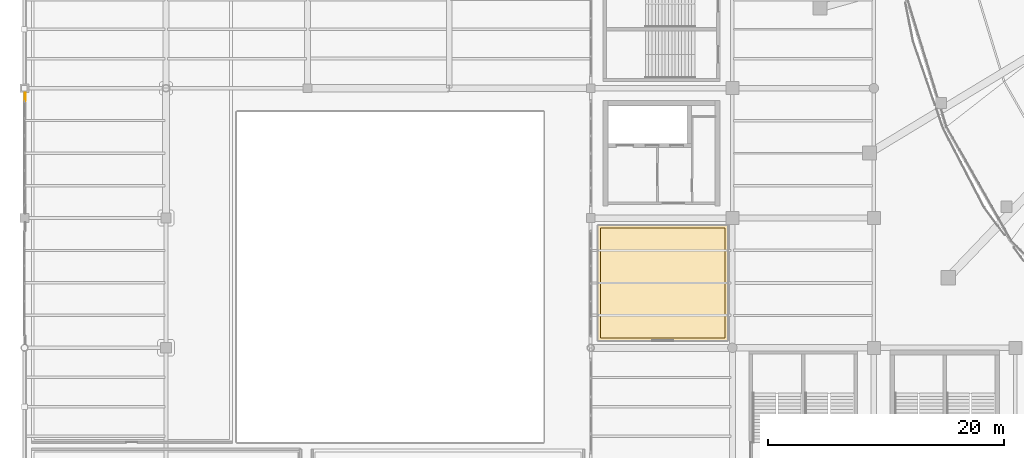
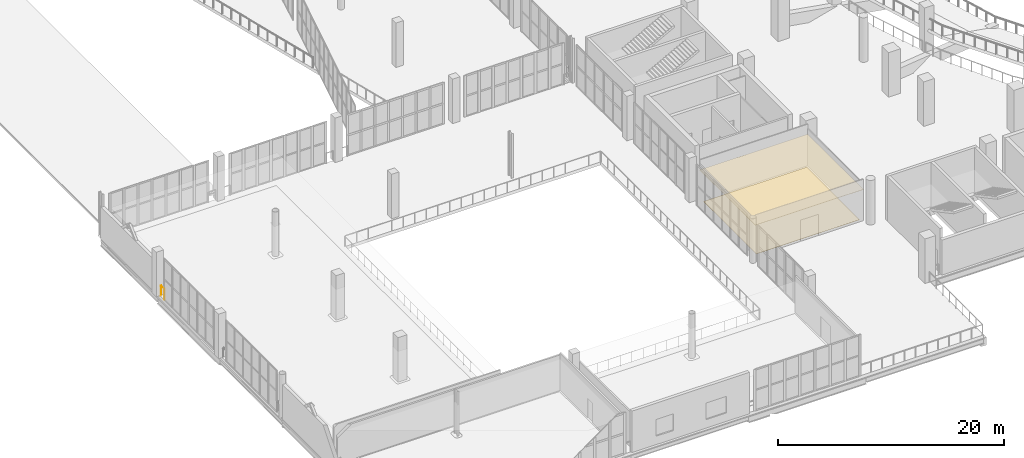
# One storey, part 122 of 136: 2 coverings, 1 railing.
"""IFC4 building model written with IfcOpenShell, lengths in metres."""

from ifc_helpers import new_model, si_unit, direction, frame, origin, origin_2d, place, context, subcontext, project, spatial, polyline, circle, outline, extrude, material, layer, layer_set, type_object, element, save


model = new_model("IFC4")

# Units and contexts
model_context = context("Model", 3, precision=1e-05, world=origin(), true_north=direction((0.0, 1.0)))
body_context = subcontext(model_context, "Body", "Model", "MODEL_VIEW")
ifc_project = project(units=[si_unit("LENGTHUNIT", "METRE"), si_unit("AREAUNIT", "SQUARE_METRE"), si_unit("VOLUMEUNIT", "CUBIC_METRE"), si_unit("PLANEANGLEUNIT", "RADIAN"), si_unit("MASSUNIT", "GRAM", prefix="KILO")], contexts=[model_context])

# Site, building, storey
site_placement = place(None, origin())
site = spatial("IfcSite", under=ifc_project, at=site_placement, CompositionType="ELEMENT")
building_placement = place(site_placement, origin())
building = spatial("IfcBuilding", under=site, at=building_placement, Name="Brinegate Civic Arena", CompositionType="ELEMENT")
storey_placement = place(building_placement, frame((0.0, 0.0, 5.39990234375)))
storey = spatial("IfcBuildingStorey", under=building, at=storey_placement, Name="L01", CompositionType="ELEMENT", Elevation=5.39990234375)

# Coverings
ifc_material_1 = material(Name="Acoustic perforated aluminium ceiling", Category="aluminium")
ifc_layer_1 = layer(ifc_material_1, 0.034912109375, Name="Acoustic perforated aluminium ceiling")
ifc_layer_set_1 = layer_set([ifc_layer_1], Name="Acoustic perforated aluminium ceiling")
covering_type_1 = type_object("IfcCoveringType", Name="CEILING-ACOUSTIC-35", PredefinedType="CEILING", material=ifc_layer_set_1)
covering_1_placement = place(storey_placement, frame((0.0, 0.0, 3.315185546875)))
element("IfcCovering", 1, at=covering_1_placement, inside=storey, type_object=covering_type_1, Name="Acoustic Ceiling L01-008", PredefinedType="CEILING", context=body_context, shape_type="SweptSolid", body=[
    extrude(outline(polyline([(59.60400390625, 30.419921875), (59.60595703125, 30.4189453125), (59.60791015625, 30.41796875), (59.60888671875, 30.41796875), (59.611083984375, 30.4169921875), (59.613037109375, 30.4150390625), (59.614013671875, 30.4140625), (59.614990234375, 30.4130859375), (59.616943359375, 30.410888671875), (59.617919921875, 30.408935546875), (59.617919921875, 30.407958984375), (59.618896484375, 30.406005859375), (59.6201171875, 30.404052734375), (59.6201171875, 30.402099609375), (59.6201171875, 30.39990234375), (59.6201171875, 20.60009765625), (59.6201171875, 20.597900390625), (59.6201171875, 20.595947265625), (59.618896484375, 20.593994140625), (59.617919921875, 20.592041015625), (59.617919921875, 20.591064453125), (59.616943359375, 20.589111328125), (59.614990234375, 20.5869140625), (59.614013671875, 20.5859375), (59.613037109375, 20.5849609375), (59.611083984375, 20.5830078125), (59.60888671875, 20.58203125), (59.60791015625, 20.58203125), (59.60595703125, 20.5810546875), (59.60400390625, 20.580078125), (59.60205078125, 20.580078125), (59.60009765625, 20.580078125), (48.60009765625, 20.580078125), (48.597900390625, 20.580078125), (48.595947265625, 20.580078125), (48.593994140625, 20.5810546875), (48.592041015625, 20.58203125), (48.591064453125, 20.58203125), (48.589111328125, 20.5830078125), (48.5869140625, 20.5849609375), (48.5859375, 20.5859375), (48.5849609375, 20.5869140625), (48.5830078125, 20.589111328125), (48.58203125, 20.591064453125), (48.58203125, 20.592041015625), (48.5810546875, 20.593994140625), (48.580078125, 20.595947265625), (48.580078125, 20.597900390625), (48.580078125, 20.60009765625), (48.580078125, 30.39990234375), (48.580078125, 30.402099609375), (48.580078125, 30.404052734375), (48.5810546875, 30.406005859375), (48.58203125, 30.407958984375), (48.58203125, 30.408935546875), (48.5830078125, 30.410888671875), (48.5849609375, 30.4130859375), (48.5859375, 30.4140625), (48.5869140625, 30.4150390625), (48.589111328125, 30.4169921875), (48.591064453125, 30.41796875), (48.592041015625, 30.41796875), (48.593994140625, 30.4189453125), (48.595947265625, 30.419921875), (48.597900390625, 30.419921875), (48.60009765625, 30.419921875), (59.60009765625, 30.419921875), (59.60205078125, 30.419921875), (59.60400390625, 30.419921875)])), origin(), (0.0, 0.0, 1.0), 0.034912109375),
])
ifc_material_2 = material(Name="Polished coral terrazzo flooring")
ifc_layer_2 = layer(ifc_material_2, 0.013916015625, Name="Polished coral terrazzo flooring")
ifc_layer_set_2 = layer_set([ifc_layer_2], Name="Polished coral terrazzo flooring")
covering_type_2 = type_object("IfcCoveringType", Name="FLOORING-ACOUSTIC-14", PredefinedType="FLOORING", material=ifc_layer_set_2)
covering_2_placement = place(storey_placement, origin())
element("IfcCovering", 2, at=covering_2_placement, inside=storey, type_object=covering_type_2, Name="Flooring L01-008", PredefinedType="FLOORING", context=body_context, shape_type="SweptSolid", body=[
    extrude(outline(polyline([(48.830078125, 20.830078125), (48.830078125, 30.169921875), (59.3701171875, 30.169921875), (59.3701171875, 20.830078125), (48.830078125, 20.830078125)])), origin(), (0.0, 0.0, 1.0), 0.01416015625),
])

# Railing
ifc_material_3 = material(Name="Architectural stainless steel balustrade", Category="steel")
railing_type = type_object("IfcRailingType", Name="RAIL-VOID-BALUSTRADE-1120", PredefinedType="BALUSTRADE", material=ifc_material_3)
railing_placement = place(storey_placement, frame((0.070068359375, 40.919921875, 0.0)))
element("IfcRailing", 3, at=railing_placement, inside=storey, type_object=railing_type, Name="Deck Edge Balustrade L01-091", PredefinedType="BALUSTRADE", context=body_context, shape_type="SweptSolid", body=[
    extrude(circle(Radius=0.02392578125, at=origin_2d()), frame((0.0, 0.00146484375, 1.09619140625), z_axis=(0.0, 1.0, 0.0), x_axis=(-1.0, 0.0, 0.0)), (0.0, 0.0, 1.0), 0.68212890625),
    extrude(circle(Radius=0.02099609375, at=origin_2d()), origin(), (0.0, 0.0, 1.0), 1.070068359375),
    extrude(circle(Radius=0.02099609375, at=origin_2d()), frame((0.0, 0.68505859375, 0.0)), (0.0, 0.0, 1.0), 1.070068359375),
])

save(model, "model.ifc")
